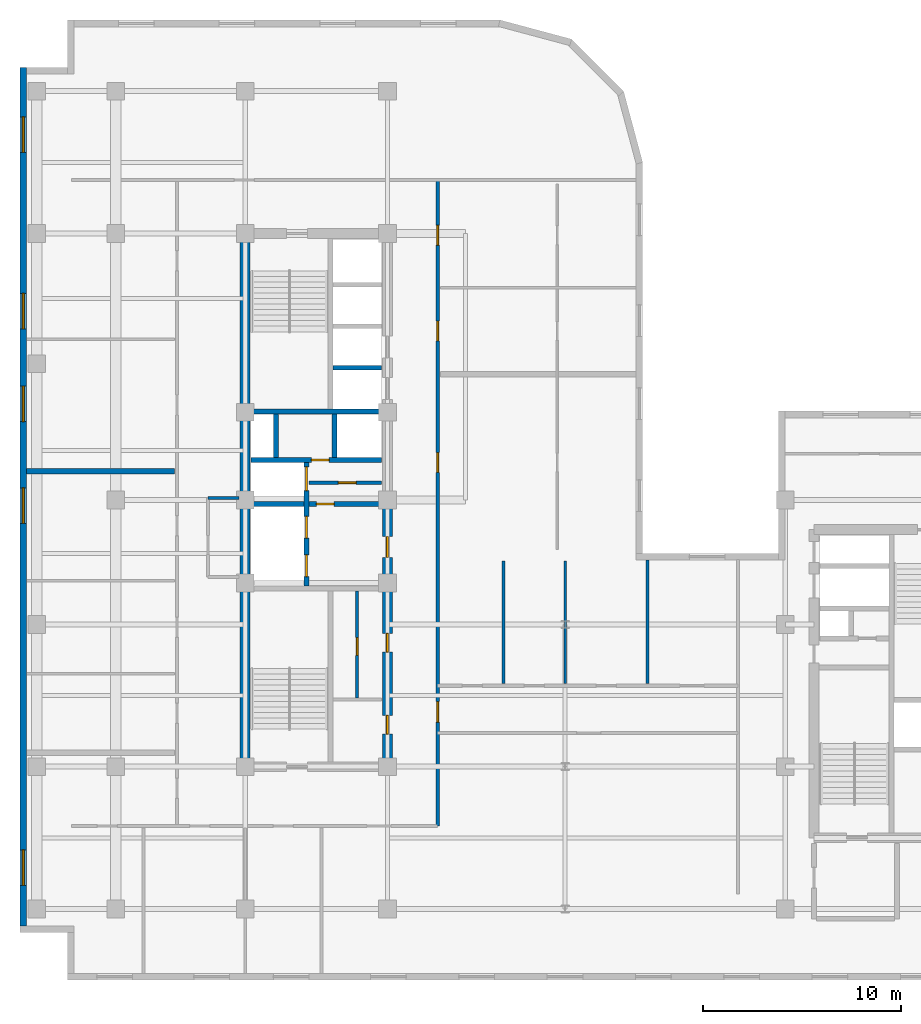
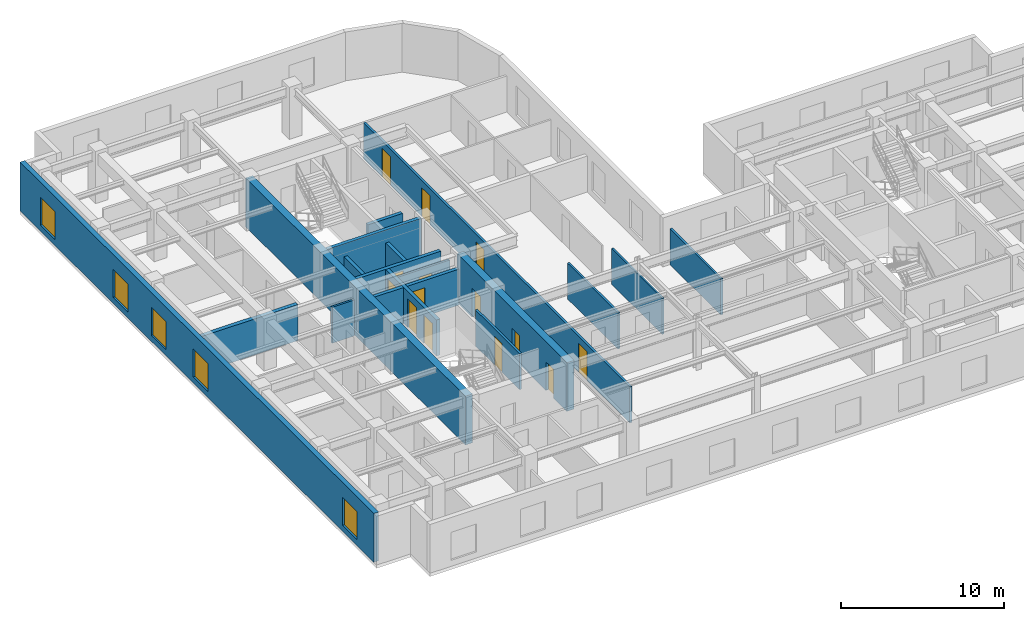
# One storey, part 5 of 11: 18 walls, 14 doors, 5 windows, 19 openings.
"""IFC4 building model written with IfcOpenShell, lengths in metres."""

import ifcopenshell
import ifcopenshell.guid

model = None  # the IFC model being written
_history = None  # IfcOwnerHistory: only IFC2X3 demands one
_inside = {}  # id of a spatial element -> (the spatial element, [elements in it])
_under = {}  # id of a project, library or spatial element -> (it, [spatial elements below it])
_declared = {}  # id of a project -> (the project, [libraries it declares])
_typed = {}  # id of a type object -> (the type object, [elements of that type])
_made_of = {}  # id of a material, layer set ... -> (it, [elements and type objects made of it])


def new_model(schema):
    """Start an empty IFC model of exactly this schema.

    Asked for "IFC4X3", IfcOpenShell would pick the latest addendum, in which some entities
    have other attributes; the version numbers below select the first issue.
    IFC2X3 requires an IfcOwnerHistory on every rooted entity: one is made here for all.
    """
    global model, _history
    if schema == "IFC4X3":
        model = ifcopenshell.file(schema_version=(4, 3, 0, 0))
    else:
        model = ifcopenshell.file(schema=schema)
    _inside.clear()
    _under.clear()
    _declared.clear()
    _typed.clear()
    _made_of.clear()
    _history = None
    if model.schema == "IFC2X3":
        org = make("IfcOrganization", Name="unknown")
        user = make(
            "IfcPersonAndOrganization",
            ThePerson=make("IfcPerson", FamilyName="unknown"),
            TheOrganization=org,
        )
        app = make(
            "IfcApplication",
            ApplicationDeveloper=org,
            Version="unknown",
            ApplicationFullName="unknown",
            ApplicationIdentifier="unknown",
        )
        _history = make(
            "IfcOwnerHistory",
            OwningUser=user,
            OwningApplication=app,
            ChangeAction="ADDED",
            CreationDate=0,
        )
    return model


def make(cls, **values):
    """One entity of the class cls with the attributes given. An attribute that is None is left unset."""
    return model.create_entity(
        cls, **{name: value for name, value in values.items() if value is not None}
    )


def entity(cls, *values):
    """Any entity or typed value of the class cls, its attributes in the order of the schema. None: left unset."""
    e = model.create_entity(cls)
    for i, value in enumerate(values):
        if value is not None:
            e[i] = value
    return e


def rooted(cls, **values):
    """An entity with a GlobalId (a new one), such as an element, a storey or a relation."""
    return make(cls, GlobalId=ifcopenshell.guid.new(), OwnerHistory=_history, **values)


def si_unit(unit_type, name, prefix=None):
    """IfcSIUnit, for example si_unit("LENGTHUNIT", "METRE", prefix="MILLI")."""
    return make("IfcSIUnit", UnitType=unit_type, Prefix=prefix, Name=name)


def converted_unit(unit_type, name, factor, base, dimensions=None, offset=None):
    """IfcConversionBasedUnit, such as the inch: factor (a typed value) times the base unit."""
    return make(
        "IfcConversionBasedUnit"
        if offset is None
        else "IfcConversionBasedUnitWithOffset",
        ConversionOffset=offset,
        Dimensions=None
        if dimensions is None
        else entity("IfcDimensionalExponents", *dimensions),
        UnitType=unit_type,
        Name=name,
        ConversionFactor=make(
            "IfcMeasureWithUnit", ValueComponent=factor, UnitComponent=base
        ),
    )


def assignment(units):
    """IfcUnitAssignment: the units of a project."""
    return None if units is None else make("IfcUnitAssignment", Units=units)


def point(xyz):
    """IfcCartesianPoint."""
    return None if xyz is None else make("IfcCartesianPoint", Coordinates=xyz)


def direction(xyz):
    """IfcDirection."""
    return None if xyz is None else make("IfcDirection", DirectionRatios=xyz)


def frame(location, z_axis=None, x_axis=None):
    """IfcAxis2Placement3D, a coordinate frame: its origin and axes. An axis left out is left unset."""
    return make(
        "IfcAxis2Placement3D",
        Location=point(location),
        Axis=direction(z_axis),
        RefDirection=direction(x_axis),
    )


def frame_2d(location, x_axis=None):
    """IfcAxis2Placement2D, a coordinate frame in the plane: its origin and x axis."""
    return make(
        "IfcAxis2Placement2D", Location=point(location), RefDirection=direction(x_axis)
    )


def origin_with_axes():
    """The frame at (0, 0, 0) with the z axis (0, 0, 1) and the x axis (1, 0, 0) written out."""
    return frame((0.0, 0.0, 0.0), z_axis=(0.0, 0.0, 1.0), x_axis=(1.0, 0.0, 0.0))


def origin_2d_with_axis():
    """The frame at (0, 0) in the plane with the x axis (1, 0) written out."""
    return frame_2d((0.0, 0.0), x_axis=(1.0, 0.0))


def place(relative_to, where):
    """IfcLocalPlacement: puts the frame where relative to a parent placement (None: the world)."""
    return make(
        "IfcLocalPlacement", PlacementRelTo=relative_to, RelativePlacement=where
    )


def context(
    kind, dimensions, precision=None, world=None, true_north=None, identifier=None
):
    """IfcGeometricRepresentationContext, for example the 3D "Model" context."""
    return make(
        "IfcGeometricRepresentationContext",
        ContextIdentifier=identifier,
        ContextType=kind,
        CoordinateSpaceDimension=dimensions,
        Precision=precision,
        WorldCoordinateSystem=world,
        TrueNorth=true_north,
    )


def subcontext(parent, identifier, kind, view, scale=None):
    """IfcGeometricRepresentationSubContext, for example "Body" below "Model"."""
    return make(
        "IfcGeometricRepresentationSubContext",
        ContextIdentifier=identifier,
        ContextType=kind,
        ParentContext=parent,
        TargetScale=scale,
        TargetView=view,
    )


def project(units=None, contexts=None):
    """IfcProject with its units and contexts."""
    return rooted(
        "IfcProject",
        Name="project",
        RepresentationContexts=contexts,
        UnitsInContext=assignment(units),
    )


def spatial(cls, under=None, at=None, **own):
    """A site, building, storey or space (cls), placed at a placement, below another one or the project."""
    s = rooted(cls, ObjectPlacement=at, **own)
    if under is not None:
        _under.setdefault(under.id(), (under, []))[1].append(s)
    return s


def polyline(points):
    """IfcPolyline through the points."""
    return make("IfcPolyline", Points=[point(p) for p in points])


def profile(cls, at=None, kind="AREA", **sizes):
    """A parametric profile (cls). Its sizes go by their IFC names, for example OverallWidth=200.0."""
    return make(cls, ProfileType=kind, Position=at, **sizes)


def rectangle(**sizes):
    """IfcRectangleProfileDef."""
    return profile("IfcRectangleProfileDef", **sizes)


def outline(outer, holes=None, kind="AREA"):
    """IfcArbitraryClosedProfileDef: a profile drawn as a closed curve; with holes, ...WithVoids."""
    if holes is None:
        return make("IfcArbitraryClosedProfileDef", ProfileType=kind, OuterCurve=outer)
    return make(
        "IfcArbitraryProfileDefWithVoids",
        ProfileType=kind,
        OuterCurve=outer,
        InnerCurves=holes,
    )


def extrude(swept, where, along, depth):
    """IfcExtrudedAreaSolid: the profile swept, set in the frame where, extruded along a direction by depth."""
    return make(
        "IfcExtrudedAreaSolid",
        SweptArea=swept,
        Position=where,
        ExtrudedDirection=direction(along),
        Depth=depth,
    )


def shape(context_of_items, identifier, shape_type, items):
    """IfcShapeRepresentation: the items that make up one representation, for example the "Body"."""
    return make(
        "IfcShapeRepresentation",
        ContextOfItems=context_of_items,
        RepresentationIdentifier=identifier,
        RepresentationType=shape_type,
        Items=items,
    )


def material(Name=None, Category=None):
    """IfcMaterial."""
    return make("IfcMaterial", Name=Name, Category=Category)


def layer(
    of_material, thickness, ventilated=None, Name=None, Category=None, Priority=None
):
    """IfcMaterialLayer: one layer of a wall or slab, of a material (None: an air gap)."""
    return make(
        "IfcMaterialLayer",
        Material=of_material,
        LayerThickness=thickness,
        IsVentilated=ventilated,
        Name=Name,
        Category=Category,
        Priority=Priority,
    )


def layer_set(layers, Name=None):
    """IfcMaterialLayerSet."""
    return make("IfcMaterialLayerSet", MaterialLayers=layers, LayerSetName=Name)


def made_of(thing, what):
    """Note that an element or type object is made of a material, layer set ...; save() writes the relation."""
    if what is not None:
        _made_of.setdefault(what.id(), (what, []))[1].append(thing)
    return thing


def type_object(cls, material=None, **own):
    """A type object (cls), such as IfcWallType, which elements share."""
    return made_of(rooted(cls, **own), material)


def element(
    cls,
    number,
    at=None,
    inside=None,
    cuts=None,
    type_object=None,
    material=None,
    context=None,
    identifier="Body",
    shape_type=None,
    held_by="IfcProductDefinitionShape",
    body=None,
    shapes=None,
    **own,
):
    """One element of the class cls, such as IfcWall. Its Tag is "e" and its number.

    at: its placement. inside: the storey or other place that contains it. cuts: it is an
    opening in that element (IfcRelVoidsElement). A single representation is given by context,
    identifier, shape_type and body (its items); several are given by shapes. held_by: the class
    of the entity that holds the representations. save() writes the other relations.
    """
    e = rooted(cls, Tag="e%d" % number, ObjectPlacement=at, **own)
    if body is not None:
        shapes = [shape(context, identifier, shape_type, body)]
    if shapes is not None:
        e.Representation = make(held_by, Representations=shapes)
    if inside is not None:
        _inside.setdefault(inside.id(), (inside, []))[1].append(e)
    if cuts is not None:
        rooted(
            "IfcRelVoidsElement", RelatingBuildingElement=cuts, RelatedOpeningElement=e
        )
    if type_object is not None:
        _typed.setdefault(type_object.id(), (type_object, []))[1].append(e)
    return made_of(e, material)


def fill(opening, filler):
    """IfcRelFillsElement: the door or window that sits in an opening."""
    return rooted(
        "IfcRelFillsElement",
        RelatingOpeningElement=opening,
        RelatedBuildingElement=filler,
    )


def aggregate(whole, parts):
    """IfcRelAggregates: a whole, such as a stair, and the parts it consists of."""
    return rooted("IfcRelAggregates", RelatingObject=whole, RelatedObjects=parts)


def save(model, path):
    """Write the relations noted so far, then the file.

    IfcRelAggregates (storeys below a building ...), IfcRelContainedInSpatialStructure (elements
    in a storey), IfcRelDefinesByType, IfcRelAssociatesMaterial and IfcRelDeclares: one each for
    every whole, place, type object, material and project.
    """
    for whole, parts in _under.values():
        aggregate(whole, parts)
    for where, things in _inside.values():
        rooted(
            "IfcRelContainedInSpatialStructure",
            RelatedElements=things,
            RelatingStructure=where,
        )
    for kind, things in _typed.values():
        rooted("IfcRelDefinesByType", RelatedObjects=things, RelatingType=kind)
    for what, things in _made_of.values():
        rooted("IfcRelAssociatesMaterial", RelatedObjects=things, RelatingMaterial=what)
    for by, libraries in _declared.values():
        rooted("IfcRelDeclares", RelatingContext=by, RelatedDefinitions=libraries)
    model.write(path)


model = new_model("IFC4")

# Units and contexts
model_context = context("Model", 3, precision=1e-05, world=origin_with_axes(), true_north=direction((0.0, 1.0)))
body_context = subcontext(model_context, "Body", "Model", "MODEL_VIEW")
ifc_project = project(units=[si_unit("LENGTHUNIT", "METRE"), si_unit("AREAUNIT", "SQUARE_METRE"), si_unit("VOLUMEUNIT", "CUBIC_METRE"), converted_unit("PLANEANGLEUNIT", "DEGREE", entity("IfcPlaneAngleMeasure", 0.017453292519943295), si_unit("PLANEANGLEUNIT", "RADIAN"), dimensions=[0, 0, 0, 0, 0, 0, 0]), si_unit("MASSUNIT", "GRAM", prefix="KILO"), si_unit("THERMODYNAMICTEMPERATUREUNIT", "KELVIN")], contexts=[model_context])

# Site, building, storey
site_placement = place(None, origin_with_axes())
site = spatial("IfcSite", under=ifc_project, at=site_placement, CompositionType="ELEMENT")
building_placement = place(site_placement, origin_with_axes())
building = spatial("IfcBuilding", under=site, at=building_placement, Name="Varnlund Millrace Tower", CompositionType="ELEMENT")
storey_placement = place(building_placement, frame((0.0, 0.0, 212.1), z_axis=(0.0, 0.0, 1.0), x_axis=(1.0, 0.0, 0.0)))
storey = spatial("IfcBuildingStorey", under=building, at=storey_placement, Name="L52", CompositionType="ELEMENT", Elevation=212.1)

# Wall
ifc_material_1 = material(Name="Concrete C70/85", Category="concrete")
ifc_layer_1 = layer(ifc_material_1, 0.5, Name="Concrete C70/85")
ifc_layer_set_1 = layer_set([ifc_layer_1], Name="Concrete C70/85")
wall_type_1 = type_object("IfcWallType", Name="Type-CoreWall-Shear-500-C70", PredefinedType="SHEAR", material=ifc_layer_set_1)
wall_1_placement = place(storey_placement, frame((11.4, 10.8, 0.0), z_axis=(0.0, 0.0, 1.0), x_axis=(0.0, 1.0, 0.0)))
element("IfcWall", 1, at=wall_1_placement, inside=storey, type_object=wall_type_1, Name="Type-CoreWall-Shear-500-C70", PredefinedType="SHEAR", context=body_context, shape_type="SweptSolid", body=[
    extrude(outline(polyline([(0.0, -0.25), (27.0, -0.25), (27.0, 0.25), (0.0, 0.25), (0.0, -0.25)])), origin_with_axes(), (0.0, 0.0, 1.0), 3.66),
])

# Wall, openings, doors
wall_2_placement = place(storey_placement, frame((18.6, 10.8, 0.0), z_axis=(0.0, 0.0, 1.0), x_axis=(0.0, 1.0, 0.0)))
wall_2 = element("IfcWall", 2, at=wall_2_placement, inside=storey, type_object=wall_type_1, Name="Type-CoreWall-Shear-500-C70", PredefinedType="SHEAR", context=body_context, shape_type="SweptSolid", body=[
    extrude(outline(polyline([(0.0, -0.25), (13.5, -0.25), (13.5, 0.25), (0.0, 0.25), (0.0, -0.25)])), origin_with_axes(), (0.0, 0.0, 1.0), 3.66),
])
opening_1_placement = place(wall_2_placement, frame((11.125, 0.0, 0.0), z_axis=(0.0, 0.0, 1.0), x_axis=(1.0, 0.0, 0.0)))
opening_1 = element("IfcOpeningElement", 3, at=opening_1_placement, cuts=wall_2, Name="Opening L52:DR-FFLOB-A", PredefinedType="OPENING", context=body_context, shape_type="SweptSolid", body=[
    extrude(rectangle(XDim=1.05, YDim=0.52, at=origin_2d_with_axis()), origin_with_axes(), (0.0, 0.0, 1.0), 2.15),
])
opening_2_placement = place(wall_2_placement, frame((2.125, 0.0, 0.0), z_axis=(0.0, 0.0, 1.0), x_axis=(1.0, 0.0, 0.0)))
opening_2 = element("IfcOpeningElement", 4, at=opening_2_placement, cuts=wall_2, Name="Opening L52:DR-RECL-A1-1", PredefinedType="OPENING", context=body_context, shape_type="SweptSolid", body=[
    extrude(rectangle(XDim=0.95, YDim=0.52, at=origin_2d_with_axis()), origin_with_axes(), (0.0, 0.0, 1.0), 2.15),
])
opening_3_placement = place(wall_2_placement, frame((6.275, 0.0, 0.0), z_axis=(0.0, 0.0, 1.0), x_axis=(1.0, 0.0, 0.0)))
opening_3 = element("IfcOpeningElement", 5, at=opening_3_placement, cuts=wall_2, Name="Opening L52:DR-RECL-A1-3", PredefinedType="OPENING", context=body_context, shape_type="SweptSolid", body=[
    extrude(rectangle(XDim=0.95, YDim=0.52, at=origin_2d_with_axis()), origin_with_axes(), (0.0, 0.0, 1.0), 2.15),
])
ifc_material_2 = material(Name="Smoke-barrier hollow steel fire door", Category="steel")
door_type_1 = type_object("IfcDoorType", Name="Type-FireDoor-Lobby-1050X2150", OperationType="NOTDEFINED", PredefinedType="DOOR", material=ifc_material_2)
door_1_placement = place(wall_2_placement, frame((11.125, 0.0, 0.0), z_axis=(0.0, 0.0, 1.0), x_axis=(1.0, 0.0, 0.0)))
door_1 = element("IfcDoor", 6, at=door_1_placement, inside=storey, type_object=door_type_1, Name="Type-FireDoor-Lobby-1050X2150", OperationType="SINGLE_SWING_LEFT", OverallHeight=2.15, OverallWidth=1.05, PredefinedType="DOOR", context=body_context, shape_type="SweptSolid", body=[
    extrude(rectangle(XDim=1.05, YDim=0.09, at=origin_2d_with_axis()), origin_with_axes(), (0.0, 0.0, 1.0), 2.15),
])
fill(opening_1, door_1)
ifc_material_3 = material(Name="Fire-rated hollow steel core service door", Category="steel")
door_type_2 = type_object("IfcDoorType", Name="Type-FireDoor-Service-950X2150", OperationType="NOTDEFINED", PredefinedType="DOOR", material=ifc_material_3)
door_2_placement = place(wall_2_placement, frame((2.125, 0.0, 0.0), z_axis=(0.0, 0.0, 1.0), x_axis=(1.0, 0.0, 0.0)))
door_2 = element("IfcDoor", 7, at=door_2_placement, inside=storey, type_object=door_type_2, Name="Type-FireDoor-Service-950X2150", OperationType="SINGLE_SWING_LEFT", OverallHeight=2.15, OverallWidth=0.95, PredefinedType="DOOR", context=body_context, shape_type="SweptSolid", body=[
    extrude(rectangle(XDim=0.95, YDim=0.09, at=origin_2d_with_axis()), origin_with_axes(), (0.0, 0.0, 1.0), 2.15),
])
fill(opening_2, door_2)
door_3_placement = place(wall_2_placement, frame((6.275, 0.0, 0.0), z_axis=(0.0, 0.0, 1.0), x_axis=(1.0, 0.0, 0.0)))
door_3 = element("IfcDoor", 8, at=door_3_placement, inside=storey, type_object=door_type_2, Name="Type-FireDoor-Service-950X2150", OperationType="SINGLE_SWING_RIGHT", OverallHeight=2.15, OverallWidth=0.95, PredefinedType="DOOR", context=body_context, shape_type="SweptSolid", body=[
    extrude(rectangle(XDim=0.95, YDim=0.09, at=origin_2d_with_axis()), origin_with_axes(), (0.0, 0.0, 1.0), 2.15),
])
fill(opening_3, door_3)

# Wall, openings, windows
ifc_material_4 = material(Name="Precast concrete C50/60", Category="concrete")
ifc_layer_2 = layer(ifc_material_4, 0.34, Name="Precast concrete C50/60")
ifc_layer_set_2 = layer_set([ifc_layer_2], Name="Precast concrete C50/60")
wall_type_2 = type_object("IfcWallType", Name="Type-ExtWall-Precast-Upper-340", PredefinedType="SOLIDWALL", material=ifc_layer_set_2)
wall_3_placement = place(storey_placement, frame((0.17, 2.74, 0.0), z_axis=(0.0, 0.0, 1.0), x_axis=(0.0, 1.0, 0.0)))
wall_3 = element("IfcWall", 9, at=wall_3_placement, inside=storey, type_object=wall_type_2, Name="Type-ExtWall-Precast-Upper-340", PredefinedType="SOLIDWALL", context=body_context, shape_type="SweptSolid", body=[
    extrude(outline(polyline([(0.0, -0.17), (43.46, -0.17), (43.46, 0.17), (0.0, 0.17), (0.0, -0.17)])), origin_with_axes(), (0.0, 0.0, 1.0), 3.66),
])
opening_4_placement = place(wall_3_placement, frame((2.948, 0.0, 0.45), z_axis=(0.0, 0.0, 1.0), x_axis=(1.0, 0.0, 0.0)))
opening_4 = element("IfcOpeningElement", 10, at=opening_4_placement, cuts=wall_3, Name="Opening L52:WN-20", PredefinedType="OPENING", context=body_context, shape_type="SweptSolid", body=[
    extrude(rectangle(XDim=1.8, YDim=0.36, at=origin_2d_with_axis()), origin_with_axes(), (0.0, 0.0, 1.0), 2.1),
])
opening_5_placement = place(wall_3_placement, frame((21.28, 0.0, 0.45), z_axis=(0.0, 0.0, 1.0), x_axis=(1.0, 0.0, 0.0)))
opening_5 = element("IfcOpeningElement", 11, at=opening_5_placement, cuts=wall_3, Name="Opening L52:WN-21", PredefinedType="OPENING", context=body_context, shape_type="SweptSolid", body=[
    extrude(rectangle(XDim=1.8, YDim=0.36, at=origin_2d_with_axis()), origin_with_axes(), (0.0, 0.0, 1.0), 2.1),
])
opening_6_placement = place(wall_3_placement, frame((26.426, 0.0, 0.45), z_axis=(0.0, 0.0, 1.0), x_axis=(1.0, 0.0, 0.0)))
opening_6 = element("IfcOpeningElement", 12, at=opening_6_placement, cuts=wall_3, Name="Opening L52:WN-22", PredefinedType="OPENING", context=body_context, shape_type="SweptSolid", body=[
    extrude(rectangle(XDim=1.8, YDim=0.36, at=origin_2d_with_axis()), origin_with_axes(), (0.0, 0.0, 1.0), 2.1),
])
opening_7_placement = place(wall_3_placement, frame((31.121, 0.0, 0.45), z_axis=(0.0, 0.0, 1.0), x_axis=(1.0, 0.0, 0.0)))
opening_7 = element("IfcOpeningElement", 13, at=opening_7_placement, cuts=wall_3, Name="Opening L52:WN-23", PredefinedType="OPENING", context=body_context, shape_type="SweptSolid", body=[
    extrude(rectangle(XDim=1.8, YDim=0.36, at=origin_2d_with_axis()), origin_with_axes(), (0.0, 0.0, 1.0), 2.1),
])
opening_8_placement = place(wall_3_placement, frame((40.062, 0.0, 0.45), z_axis=(0.0, 0.0, 1.0), x_axis=(1.0, 0.0, 0.0)))
opening_8 = element("IfcOpeningElement", 14, at=opening_8_placement, cuts=wall_3, Name="Opening L52:WN-24", PredefinedType="OPENING", context=body_context, shape_type="SweptSolid", body=[
    extrude(rectangle(XDim=1.8, YDim=0.36, at=origin_2d_with_axis()), origin_with_axes(), (0.0, 0.0, 1.0), 2.1),
])
ifc_material_5 = material(Name="Argon low-e triple glazing in thermally broken bronze frame", Category="glass")
window_type = type_object("IfcWindowType", Name="Type-Window-Punched-1800X2100", PartitioningType="SINGLE_PANEL", PredefinedType="WINDOW", material=ifc_material_5)
window_1_placement = place(wall_3_placement, frame((2.948, 0.0, 0.45), z_axis=(0.0, 0.0, 1.0), x_axis=(1.0, 0.0, 0.0)))
window_1 = element("IfcWindow", 15, at=window_1_placement, inside=storey, type_object=window_type, Name="Type-Window-Punched-1800X2100", OverallHeight=2.1, OverallWidth=1.8, PredefinedType="WINDOW", context=body_context, shape_type="SweptSolid", body=[
    extrude(rectangle(XDim=1.8, YDim=0.09, at=origin_2d_with_axis()), origin_with_axes(), (0.0, 0.0, 1.0), 2.1),
])
fill(opening_4, window_1)
window_2_placement = place(wall_3_placement, frame((21.28, 0.0, 0.45), z_axis=(0.0, 0.0, 1.0), x_axis=(1.0, 0.0, 0.0)))
window_2 = element("IfcWindow", 16, at=window_2_placement, inside=storey, type_object=window_type, Name="Type-Window-Punched-1800X2100", OverallHeight=2.1, OverallWidth=1.8, PredefinedType="WINDOW", context=body_context, shape_type="SweptSolid", body=[
    extrude(rectangle(XDim=1.8, YDim=0.09, at=origin_2d_with_axis()), origin_with_axes(), (0.0, 0.0, 1.0), 2.1),
])
fill(opening_5, window_2)
window_3_placement = place(wall_3_placement, frame((26.426, 0.0, 0.45), z_axis=(0.0, 0.0, 1.0), x_axis=(1.0, 0.0, 0.0)))
window_3 = element("IfcWindow", 17, at=window_3_placement, inside=storey, type_object=window_type, Name="Type-Window-Punched-1800X2100", OverallHeight=2.1, OverallWidth=1.8, PredefinedType="WINDOW", context=body_context, shape_type="SweptSolid", body=[
    extrude(rectangle(XDim=1.8, YDim=0.09, at=origin_2d_with_axis()), origin_with_axes(), (0.0, 0.0, 1.0), 2.1),
])
fill(opening_6, window_3)
window_4_placement = place(wall_3_placement, frame((31.121, 0.0, 0.45), z_axis=(0.0, 0.0, 1.0), x_axis=(1.0, 0.0, 0.0)))
window_4 = element("IfcWindow", 18, at=window_4_placement, inside=storey, type_object=window_type, Name="Type-Window-Punched-1800X2100", OverallHeight=2.1, OverallWidth=1.8, PredefinedType="WINDOW", context=body_context, shape_type="SweptSolid", body=[
    extrude(rectangle(XDim=1.8, YDim=0.09, at=origin_2d_with_axis()), origin_with_axes(), (0.0, 0.0, 1.0), 2.1),
])
fill(opening_7, window_4)
window_5_placement = place(wall_3_placement, frame((40.062, 0.0, 0.45), z_axis=(0.0, 0.0, 1.0), x_axis=(1.0, 0.0, 0.0)))
window_5 = element("IfcWindow", 19, at=window_5_placement, inside=storey, type_object=window_type, Name="Type-Window-Punched-1800X2100", OverallHeight=2.1, OverallWidth=1.8, PredefinedType="WINDOW", context=body_context, shape_type="SweptSolid", body=[
    extrude(rectangle(XDim=1.8, YDim=0.09, at=origin_2d_with_axis()), origin_with_axes(), (0.0, 0.0, 1.0), 2.1),
])
fill(opening_8, window_5)

# Wall
ifc_material_6 = material(Name="Double-stud STC-60 conference acoustic partition", Category="gypsum")
ifc_layer_3 = layer(ifc_material_6, 0.28, Name="Double-stud STC-60 conference acoustic partition")
ifc_layer_set_3 = layer_set([ifc_layer_3], Name="Double-stud STC-60 conference acoustic partition")
wall_type_3 = type_object("IfcWallType", Name="Type-Partition-Acoustic-280", PredefinedType="PARTITIONING", material=ifc_layer_set_3)
wall_4_placement = place(storey_placement, frame((0.335, 25.769, 0.0), z_axis=(0.0, 0.0, 1.0), x_axis=(1.0, 0.0, 0.0)))
element("IfcWall", 20, at=wall_4_placement, inside=storey, type_object=wall_type_3, Name="Type-Partition-Acoustic-280", PredefinedType="PARTITIONING", context=body_context, shape_type="SweptSolid", body=[
    extrude(outline(polyline([(0.0, -0.14), (7.495, -0.14), (7.495, 0.14), (0.0, 0.14), (0.0, -0.14)])), origin_with_axes(), (0.0, 0.0, 1.0), 2.7),
])

# Wall, opening, door
ifc_material_7 = material(Name="Fire-rated gypsum board on cold-formed steel framing", Category="steel")
ifc_layer_4 = layer(ifc_material_7, 0.16, Name="Fire-rated gypsum board on cold-formed steel framing")
ifc_layer_set_4 = layer_set([ifc_layer_4], Name="Fire-rated gypsum board on cold-formed steel framing")
wall_type_4 = type_object("IfcWallType", Name="Type-Partition-Corridor-160", PredefinedType="PARTITIONING", material=ifc_layer_set_4)
wall_5_placement = place(storey_placement, frame((14.62, 25.18, 0.0), z_axis=(0.0, 0.0, 1.0), x_axis=(1.0, 0.0, 0.0)))
wall_5 = element("IfcWall", 21, at=wall_5_placement, inside=storey, type_object=wall_type_4, Name="Type-Partition-Corridor-160", PredefinedType="PARTITIONING", context=body_context, shape_type="SweptSolid", body=[
    extrude(outline(polyline([(0.0, -0.08), (3.68, -0.08), (3.68, 0.08), (0.0, 0.08), (0.0, -0.08)])), origin_with_axes(), (0.0, 0.0, 1.0), 2.7),
])
opening_9_placement = place(wall_5_placement, frame((1.95, 0.0, 0.0), z_axis=(0.0, 0.0, 1.0), x_axis=(1.0, 0.0, 0.0)))
opening_9 = element("IfcOpeningElement", 22, at=opening_9_placement, cuts=wall_5, Name="Opening L52:DR-CA-SUB2", PredefinedType="OPENING", context=body_context, shape_type="SweptSolid", body=[
    extrude(rectangle(XDim=0.9, YDim=0.18, at=origin_2d_with_axis()), origin_with_axes(), (0.0, 0.0, 1.0), 2.15),
])
ifc_material_8 = material(Name="Painted steel riser and closet door", Category="steel")
door_type_3 = type_object("IfcDoorType", Name="Type-IntDoor-Closet-900X2150", OperationType="NOTDEFINED", PredefinedType="DOOR", material=ifc_material_8)
door_4_placement = place(wall_5_placement, frame((1.95, 0.0, 0.0), z_axis=(0.0, 0.0, 1.0), x_axis=(1.0, 0.0, 0.0)))
door_4 = element("IfcDoor", 23, at=door_4_placement, inside=storey, type_object=door_type_3, Name="Type-IntDoor-Closet-900X2150", OperationType="SINGLE_SWING_LEFT", OverallHeight=2.15, OverallWidth=0.9, PredefinedType="DOOR", context=body_context, shape_type="SweptSolid", body=[
    extrude(rectangle(XDim=0.9, YDim=0.09, at=origin_2d_with_axis()), origin_with_axes(), (0.0, 0.0, 1.0), 2.15),
])
fill(opening_9, door_4)

wall_6_placement = place(storey_placement, frame((17.07, 14.28, 0.0), z_axis=(0.0, 0.0, 1.0), x_axis=(0.0, 1.0, 0.0)))
wall_6 = element("IfcWall", 24, at=wall_6_placement, inside=storey, type_object=wall_type_4, Name="Type-Partition-Corridor-160", PredefinedType="PARTITIONING", context=body_context, shape_type="SweptSolid", body=[
    extrude(outline(polyline([(0.0, -0.08), (5.42, -0.08), (5.42, 0.08), (0.0, 0.08), (0.0, -0.08)])), origin_with_axes(), (0.0, 0.0, 1.0), 2.7),
])
opening_10_placement = place(wall_6_placement, frame((2.6, 0.0, 0.0), z_axis=(0.0, 0.0, 1.0), x_axis=(1.0, 0.0, 0.0)))
opening_10 = element("IfcOpeningElement", 25, at=opening_10_placement, cuts=wall_6, Name="Opening L52:DR-RECL-A1-2", PredefinedType="OPENING", context=body_context, shape_type="SweptSolid", body=[
    extrude(rectangle(XDim=0.9, YDim=0.18, at=origin_2d_with_axis()), origin_with_axes(), (0.0, 0.0, 1.0), 2.15),
])
door_5_placement = place(wall_6_placement, frame((2.6, 0.0, 0.0), z_axis=(0.0, 0.0, 1.0), x_axis=(1.0, 0.0, 0.0)))
door_5 = element("IfcDoor", 26, at=door_5_placement, inside=storey, type_object=door_type_3, Name="Type-IntDoor-Closet-900X2150", OperationType="SINGLE_SWING_LEFT", OverallHeight=2.15, OverallWidth=0.9, PredefinedType="DOOR", context=body_context, shape_type="SweptSolid", body=[
    extrude(rectangle(XDim=0.9, YDim=0.09, at=origin_2d_with_axis()), origin_with_axes(), (0.0, 0.0, 1.0), 2.15),
])
fill(opening_10, door_5)

# Wall, openings, doors
wall_7_placement = place(storey_placement, frame((21.15, 7.8, 0.0), z_axis=(0.0, 0.0, 1.0), x_axis=(0.0, 1.0, 0.0)))
wall_7 = element("IfcWall", 27, at=wall_7_placement, inside=storey, type_object=wall_type_4, Name="Type-Partition-Corridor-160", PredefinedType="PARTITIONING", context=body_context, shape_type="SweptSolid", body=[
    extrude(outline(polyline([(0.0, -0.08), (32.7, -0.08), (32.7, 0.08), (0.0, 0.08), (0.0, -0.08)])), origin_with_axes(), (0.0, 0.0, 1.0), 2.7),
])
opening_11_placement = place(wall_7_placement, frame((18.399, 0.0, 0.0), z_axis=(0.0, 0.0, 1.0), x_axis=(1.0, 0.0, 0.0)))
opening_11 = element("IfcOpeningElement", 28, at=opening_11_placement, cuts=wall_7, Name="Opening L52:DR-FLR-01", PredefinedType="OPENING", context=body_context, shape_type="SweptSolid", body=[
    extrude(rectangle(XDim=1.0, YDim=0.18, at=origin_2d_with_axis()), origin_with_axes(), (0.0, 0.0, 1.0), 2.15),
])
opening_12_placement = place(wall_7_placement, frame((25.06, 0.0, 0.0), z_axis=(0.0, 0.0, 1.0), x_axis=(1.0, 0.0, 0.0)))
opening_12 = element("IfcOpeningElement", 29, at=opening_12_placement, cuts=wall_7, Name="Opening L52:DR-FLR-02", PredefinedType="OPENING", context=body_context, shape_type="SweptSolid", body=[
    extrude(rectangle(XDim=1.0, YDim=0.18, at=origin_2d_with_axis()), origin_with_axes(), (0.0, 0.0, 1.0), 2.15),
])
opening_13_placement = place(wall_7_placement, frame((29.911, 0.0, 0.0), z_axis=(0.0, 0.0, 1.0), x_axis=(1.0, 0.0, 0.0)))
opening_13 = element("IfcOpeningElement", 30, at=opening_13_placement, cuts=wall_7, Name="Opening L52:DR-FLR-03", PredefinedType="OPENING", context=body_context, shape_type="SweptSolid", body=[
    extrude(rectangle(XDim=1.0, YDim=0.18, at=origin_2d_with_axis()), origin_with_axes(), (0.0, 0.0, 1.0), 2.15),
])
opening_14_placement = place(wall_7_placement, frame((5.775, 0.0, 0.0), z_axis=(0.0, 0.0, 1.0), x_axis=(1.0, 0.0, 0.0)))
opening_14 = element("IfcOpeningElement", 31, at=opening_14_placement, cuts=wall_7, Name="Opening L52:DR-KN-W", PredefinedType="OPENING", context=body_context, shape_type="SweptSolid", body=[
    extrude(rectangle(XDim=1.05, YDim=0.18, at=origin_2d_with_axis()), origin_with_axes(), (0.0, 0.0, 1.0), 2.15),
])
door_6_placement = place(wall_7_placement, frame((5.775, 0.0, 0.0), z_axis=(0.0, 0.0, 1.0), x_axis=(1.0, 0.0, 0.0)))
door_6 = element("IfcDoor", 32, at=door_6_placement, inside=storey, type_object=door_type_1, Name="Type-FireDoor-Lobby-1050X2150", OperationType="SINGLE_SWING_LEFT", OverallHeight=2.15, OverallWidth=1.05, PredefinedType="DOOR", context=body_context, shape_type="SweptSolid", body=[
    extrude(rectangle(XDim=1.05, YDim=0.09, at=origin_2d_with_axis()), origin_with_axes(), (0.0, 0.0, 1.0), 2.15),
])
fill(opening_14, door_6)
ifc_material_9 = material(Name="Solid-core white oak and bronze frame door")
door_type_4 = type_object("IfcDoorType", Name="Type-IntDoor-Office-1000X2150", OperationType="NOTDEFINED", PredefinedType="DOOR", material=ifc_material_9)
door_7_placement = place(wall_7_placement, frame((18.399, 0.0, 0.0), z_axis=(0.0, 0.0, 1.0), x_axis=(1.0, 0.0, 0.0)))
door_7 = element("IfcDoor", 33, at=door_7_placement, inside=storey, type_object=door_type_4, Name="Type-IntDoor-Office-1000X2150", OperationType="SINGLE_SWING_LEFT", OverallHeight=2.15, OverallWidth=1.0, PredefinedType="DOOR", context=body_context, shape_type="SweptSolid", body=[
    extrude(rectangle(XDim=1.0, YDim=0.09, at=origin_2d_with_axis()), origin_with_axes(), (0.0, 0.0, 1.0), 2.15),
])
fill(opening_11, door_7)
door_8_placement = place(wall_7_placement, frame((25.06, 0.0, 0.0), z_axis=(0.0, 0.0, 1.0), x_axis=(1.0, 0.0, 0.0)))
door_8 = element("IfcDoor", 34, at=door_8_placement, inside=storey, type_object=door_type_4, Name="Type-IntDoor-Office-1000X2150", OperationType="SINGLE_SWING_RIGHT", OverallHeight=2.15, OverallWidth=1.0, PredefinedType="DOOR", context=body_context, shape_type="SweptSolid", body=[
    extrude(rectangle(XDim=1.0, YDim=0.09, at=origin_2d_with_axis()), origin_with_axes(), (0.0, 0.0, 1.0), 2.15),
])
fill(opening_12, door_8)
door_9_placement = place(wall_7_placement, frame((29.911, 0.0, 0.0), z_axis=(0.0, 0.0, 1.0), x_axis=(1.0, 0.0, 0.0)))
door_9 = element("IfcDoor", 35, at=door_9_placement, inside=storey, type_object=door_type_4, Name="Type-IntDoor-Office-1000X2150", OperationType="SINGLE_SWING_LEFT", OverallHeight=2.15, OverallWidth=1.0, PredefinedType="DOOR", context=body_context, shape_type="SweptSolid", body=[
    extrude(rectangle(XDim=1.0, YDim=0.09, at=origin_2d_with_axis()), origin_with_axes(), (0.0, 0.0, 1.0), 2.15),
])
fill(opening_13, door_9)

# Walls
ifc_material_10 = material(Name="Acoustic STC-50 gypsum board partition", Category="gypsum")
ifc_layer_5 = layer(ifc_material_10, 0.15, Name="Acoustic STC-50 gypsum board partition")
ifc_layer_set_5 = layer_set([ifc_layer_5], Name="Acoustic STC-50 gypsum board partition")
wall_type_5 = type_object("IfcWallType", Name="Type-Partition-Demising-150", PredefinedType="PARTITIONING", material=ifc_layer_set_5)
wall_8_placement = place(storey_placement, frame((24.476, 15.02, 0.0), z_axis=(0.0, 0.0, 1.0), x_axis=(0.0, 1.0, 0.0)))
element("IfcWall", 36, at=wall_8_placement, inside=storey, type_object=wall_type_5, Name="Type-Partition-Demising-150", PredefinedType="PARTITIONING", context=body_context, shape_type="SweptSolid", body=[
    extrude(outline(polyline([(0.0, -0.075), (6.2, -0.075), (6.2, 0.075), (0.0, 0.075), (0.0, -0.075)])), origin_with_axes(), (0.0, 0.0, 1.0), 2.7),
])
wall_9_placement = place(storey_placement, frame((31.768, 15.02, 0.0), z_axis=(0.0, 0.0, 1.0), x_axis=(0.0, 1.0, 0.0)))
element("IfcWall", 37, at=wall_9_placement, inside=storey, type_object=wall_type_5, Name="Type-Partition-Demising-150", PredefinedType="PARTITIONING", context=body_context, shape_type="SweptSolid", body=[
    extrude(outline(polyline([(0.0, -0.075), (6.245, -0.075), (6.245, 0.075), (0.0, 0.075), (0.0, -0.075)])), origin_with_axes(), (0.0, 0.0, 1.0), 2.7),
])
ifc_material_11 = material(Name="Gypsum board tenant partition", Category="gypsum")
ifc_layer_6 = layer(ifc_material_11, 0.125, Name="Gypsum board tenant partition")
ifc_layer_set_6 = layer_set([ifc_layer_6], Name="Gypsum board tenant partition")
wall_type_6 = type_object("IfcWallType", Name="Type-Partition-Tenant-125", PredefinedType="PARTITIONING", material=ifc_layer_set_6)
wall_10_placement = place(storey_placement, frame((27.6, 15.02, 0.0), z_axis=(0.0, 0.0, 1.0), x_axis=(0.0, 1.0, 0.0)))
element("IfcWall", 38, at=wall_10_placement, inside=storey, type_object=wall_type_6, Name="Type-Partition-Tenant-125", PredefinedType="PARTITIONING", context=body_context, shape_type="SweptSolid", body=[
    extrude(outline(polyline([(0.0, -0.0625), (6.2, -0.0625), (6.2, 0.0625), (0.0, 0.0625), (0.0, -0.0625)])), origin_with_axes(), (0.0, 0.0, 1.0), 2.7),
])
ifc_material_12 = material(Name="Moisture-resistant gypsum restroom partition", Category="gypsum")
ifc_layer_7 = layer(ifc_material_12, 0.14, Name="Moisture-resistant gypsum restroom partition")
ifc_layer_set_7 = layer_set([ifc_layer_7], Name="Moisture-resistant gypsum restroom partition")
wall_type_7 = type_object("IfcWallType", Name="Type-Partition-Wet-140", PredefinedType="PARTITIONING", material=ifc_layer_set_7)
wall_11_placement = place(storey_placement, frame((9.52, 24.4, 0.0), z_axis=(0.0, 0.0, 1.0), x_axis=(1.0, 0.0, 0.0)))
element("IfcWall", 39, at=wall_11_placement, inside=storey, type_object=wall_type_7, Name="Type-Partition-Wet-140", PredefinedType="PARTITIONING", context=body_context, shape_type="SweptSolid", body=[
    extrude(outline(polyline([(0.0, -0.07), (1.58, -0.07), (1.58, 0.07), (0.0, 0.07), (0.0, -0.07)])), origin_with_axes(), (0.0, 0.0, 1.0), 2.7),
])

# Wall, openings, doors
ifc_material_13 = material(Name="Concrete C60/75", Category="concrete")
ifc_layer_8 = layer(ifc_material_13, 0.25, Name="Concrete C60/75")
ifc_layer_set_8 = layer_set([ifc_layer_8], Name="Concrete C60/75")
wall_type_8 = type_object("IfcWallType", Name="Type-ShaftWall-Fire-250", PredefinedType="SOLIDWALL", material=ifc_layer_set_8)
wall_12_placement = place(storey_placement, frame((14.5, 19.95, 0.0), z_axis=(0.0, 0.0, 1.0), x_axis=(0.0, 1.0, 0.0)))
wall_12 = element("IfcWall", 40, at=wall_12_placement, inside=storey, type_object=wall_type_8, Name="Type-ShaftWall-Fire-250", PredefinedType="SOLIDWALL", context=body_context, shape_type="SweptSolid", body=[
    extrude(outline(polyline([(0.0, -0.125), (6.25, -0.125), (6.25, 0.125), (0.0, 0.125), (0.0, -0.125)])), origin_with_axes(), (0.0, 0.0, 1.0), 2.7),
])
opening_15_placement = place(wall_12_placement, frame((1.025, 0.0, 0.0), z_axis=(0.0, 0.0, 1.0), x_axis=(1.0, 0.0, 0.0)))
opening_15 = element("IfcOpeningElement", 41, at=opening_15_placement, cuts=wall_12, Name="Opening L52:LD-FSAE1", PredefinedType="OPENING", context=body_context, shape_type="SweptSolid", body=[
    extrude(rectangle(XDim=1.1, YDim=0.27, at=origin_2d_with_axis()), origin_with_axes(), (0.0, 0.0, 1.0), 2.15),
])
opening_16_placement = place(wall_12_placement, frame((2.975, 0.0, 0.0), z_axis=(0.0, 0.0, 1.0), x_axis=(1.0, 0.0, 0.0)))
opening_16 = element("IfcOpeningElement", 42, at=opening_16_placement, cuts=wall_12, Name="Opening L52:LD-FSAE2", PredefinedType="OPENING", context=body_context, shape_type="SweptSolid", body=[
    extrude(rectangle(XDim=1.1, YDim=0.27, at=origin_2d_with_axis()), origin_with_axes(), (0.0, 0.0, 1.0), 2.15),
])
opening_17_placement = place(wall_12_placement, frame((5.425, 0.0, 0.0), z_axis=(0.0, 0.0, 1.0), x_axis=(1.0, 0.0, 0.0)))
opening_17 = element("IfcOpeningElement", 43, at=opening_17_placement, cuts=wall_12, Name="Opening L52:LD-SRV1", PredefinedType="OPENING", context=body_context, shape_type="SweptSolid", body=[
    extrude(rectangle(XDim=1.2, YDim=0.27, at=origin_2d_with_axis()), origin_with_axes(), (0.0, 0.0, 1.0), 2.15),
])
ifc_material_14 = material(Name="Stainless and architectural bronze sliding landing door")
door_type_5 = type_object("IfcDoorType", Name="Type-LiftLandingDoor-1100X2150", OperationType="NOTDEFINED", PredefinedType="DOOR", material=ifc_material_14)
door_10_placement = place(wall_12_placement, frame((1.025, 0.0, 0.0), z_axis=(0.0, 0.0, 1.0), x_axis=(1.0, 0.0, 0.0)))
door_10 = element("IfcDoor", 44, at=door_10_placement, inside=storey, type_object=door_type_5, Name="Type-LiftLandingDoor-1100X2150", OperationType="SLIDING_TO_LEFT", OverallHeight=2.15, OverallWidth=1.1, PredefinedType="DOOR", context=body_context, shape_type="SweptSolid", body=[
    extrude(rectangle(XDim=1.1, YDim=0.09, at=origin_2d_with_axis()), origin_with_axes(), (0.0, 0.0, 1.0), 2.15),
])
fill(opening_15, door_10)
door_11_placement = place(wall_12_placement, frame((2.975, 0.0, 0.0), z_axis=(0.0, 0.0, 1.0), x_axis=(1.0, 0.0, 0.0)))
door_11 = element("IfcDoor", 45, at=door_11_placement, inside=storey, type_object=door_type_5, Name="Type-LiftLandingDoor-1100X2150", OperationType="SLIDING_TO_RIGHT", OverallHeight=2.15, OverallWidth=1.1, PredefinedType="DOOR", context=body_context, shape_type="SweptSolid", body=[
    extrude(rectangle(XDim=1.1, YDim=0.09, at=origin_2d_with_axis()), origin_with_axes(), (0.0, 0.0, 1.0), 2.15),
])
fill(opening_16, door_11)
ifc_material_15 = material(Name="Heavy-duty freight sliding landing door")
door_type_6 = type_object("IfcDoorType", Name="Type-LiftLandingDoor-Service-1200X2150", OperationType="NOTDEFINED", PredefinedType="DOOR", material=ifc_material_15)
door_12_placement = place(wall_12_placement, frame((5.425, 0.0, 0.0), z_axis=(0.0, 0.0, 1.0), x_axis=(1.0, 0.0, 0.0)))
door_12 = element("IfcDoor", 46, at=door_12_placement, inside=storey, type_object=door_type_6, Name="Type-LiftLandingDoor-Service-1200X2150", OperationType="DOUBLE_DOOR_SLIDING", OverallHeight=2.15, OverallWidth=1.2, PredefinedType="DOOR", context=body_context, shape_type="SweptSolid", body=[
    extrude(rectangle(XDim=1.2, YDim=0.09, at=origin_2d_with_axis()), origin_with_axes(), (0.0, 0.0, 1.0), 2.15),
])
fill(opening_17, door_12)

# Wall, opening, door
wall_13_placement = place(storey_placement, frame((11.7, 24.1, 0.0), z_axis=(0.0, 0.0, 1.0), x_axis=(1.0, 0.0, 0.0)))
wall_13 = element("IfcWall", 47, at=wall_13_placement, inside=storey, type_object=wall_type_8, Name="Type-ShaftWall-Fire-250", PredefinedType="SOLIDWALL", context=body_context, shape_type="SweptSolid", body=[
    extrude(outline(polyline([(0.0, -0.125), (6.6, -0.125), (6.6, 0.125), (0.0, 0.125), (0.0, -0.125)])), origin_with_axes(), (0.0, 0.0, 1.0), 2.7),
])
opening_18_placement = place(wall_13_placement, frame((3.75, 0.0, 0.0), z_axis=(0.0, 0.0, 1.0), x_axis=(1.0, 0.0, 0.0)))
opening_18 = element("IfcOpeningElement", 48, at=opening_18_placement, cuts=wall_13, Name="Opening L52:DR-CA-SUB1", PredefinedType="OPENING", context=body_context, shape_type="SweptSolid", body=[
    extrude(rectangle(XDim=0.9, YDim=0.27, at=origin_2d_with_axis()), origin_with_axes(), (0.0, 0.0, 1.0), 2.15),
])
ifc_material_16 = material(Name="Fire-rated hollow steel service closet door", Category="steel")
door_type_7 = type_object("IfcDoorType", Name="Type-FireDoor-Closet-900X2150", OperationType="NOTDEFINED", PredefinedType="DOOR", material=ifc_material_16)
door_13_placement = place(wall_13_placement, frame((3.75, 0.0, 0.0), z_axis=(0.0, 0.0, 1.0), x_axis=(1.0, 0.0, 0.0)))
door_13 = element("IfcDoor", 49, at=door_13_placement, inside=storey, type_object=door_type_7, Name="Type-FireDoor-Closet-900X2150", OperationType="SINGLE_SWING_LEFT", OverallHeight=2.15, OverallWidth=0.9, PredefinedType="DOOR", context=body_context, shape_type="SweptSolid", body=[
    extrude(rectangle(XDim=0.9, YDim=0.09, at=origin_2d_with_axis()), origin_with_axes(), (0.0, 0.0, 1.0), 2.15),
])
fill(opening_18, door_13)

wall_14_placement = place(storey_placement, frame((11.7, 26.325, 0.0), z_axis=(0.0, 0.0, 1.0), x_axis=(1.0, 0.0, 0.0)))
wall_14 = element("IfcWall", 50, at=wall_14_placement, inside=storey, type_object=wall_type_8, Name="Type-ShaftWall-Fire-250", PredefinedType="SOLIDWALL", context=body_context, shape_type="SweptSolid", body=[
    extrude(outline(polyline([(0.0, -0.125), (6.6, -0.125), (6.6, 0.125), (0.0, 0.125), (0.0, -0.125)])), origin_with_axes(), (0.0, 0.0, 1.0), 2.7),
])
opening_19_placement = place(wall_14_placement, frame((3.5, 0.0, 0.0), z_axis=(0.0, 0.0, 1.0), x_axis=(1.0, 0.0, 0.0)))
opening_19 = element("IfcOpeningElement", 51, at=opening_19_placement, cuts=wall_14, Name="Opening L52:DR-CA-ELC", PredefinedType="OPENING", context=body_context, shape_type="SweptSolid", body=[
    extrude(rectangle(XDim=0.9, YDim=0.27, at=origin_2d_with_axis()), origin_with_axes(), (0.0, 0.0, 1.0), 2.15),
])
door_14_placement = place(wall_14_placement, frame((3.5, 0.0, 0.0), z_axis=(0.0, 0.0, 1.0), x_axis=(1.0, 0.0, 0.0)))
door_14 = element("IfcDoor", 52, at=door_14_placement, inside=storey, type_object=door_type_7, Name="Type-FireDoor-Closet-900X2150", OperationType="SINGLE_SWING_LEFT", OverallHeight=2.15, OverallWidth=0.9, PredefinedType="DOOR", context=body_context, shape_type="SweptSolid", body=[
    extrude(rectangle(XDim=0.9, YDim=0.09, at=origin_2d_with_axis()), origin_with_axes(), (0.0, 0.0, 1.0), 2.15),
])
fill(opening_19, door_14)

# Walls
for number, where, z_axis, x_axis, name in (
    (53, (12.96, 26.45, 0.0), (0.0, 0.0, 1.0), (0.0, 1.0, 0.0), "Type-ShaftWall-Fire-250"),
    (54, (15.925, 26.45, 0.0), (0.0, 0.0, 1.0), (0.0, 1.0, 0.0), "Type-ShaftWall-Fire-250"),
):
    element("IfcWall", number, at=place(storey_placement, frame(where, z_axis=z_axis, x_axis=x_axis)), inside=storey, type_object=wall_type_8, Name=name, PredefinedType="SOLIDWALL", context=body_context, shape_type="SweptSolid", body=[
        extrude(outline(polyline([(0.0, -0.125), (2.2, -0.125), (2.2, 0.125), (0.0, 0.125), (0.0, -0.125)])), origin_with_axes(), (0.0, 0.0, 1.0), 2.7),
    ])
wall_15_placement = place(storey_placement, frame((15.84, 31.0, 0.0), z_axis=(0.0, 0.0, 1.0), x_axis=(1.0, 0.0, 0.0)))
element("IfcWall", 55, at=wall_15_placement, inside=storey, type_object=wall_type_8, Name="Type-ShaftWall-Fire-250", PredefinedType="SOLIDWALL", context=body_context, shape_type="SweptSolid", body=[
    extrude(outline(polyline([(0.0, -0.125), (2.46, -0.125), (2.46, 0.125), (0.0, 0.125), (0.0, -0.125)])), origin_with_axes(), (0.0, 0.0, 1.0), 2.7),
])
wall_type_9 = type_object("IfcWallType", Name="Type-StairWall-Shear-250", PredefinedType="SHEAR", material=ifc_layer_set_8)
wall_16_placement = place(storey_placement, frame((11.65, 28.775, 0.0), z_axis=(0.0, 0.0, 1.0), x_axis=(1.0, 0.0, 0.0)))
element("IfcWall", 56, at=wall_16_placement, inside=storey, type_object=wall_type_9, Name="Type-StairWall-Shear-250", PredefinedType="SHEAR", context=body_context, shape_type="SweptSolid", body=[
    extrude(outline(polyline([(0.0, -0.125), (6.7, -0.125), (6.7, 0.125), (0.0, 0.125), (0.0, -0.125)])), origin_with_axes(), (0.0, 0.0, 1.0), 3.66),
])

save(model, "model.ifc")
